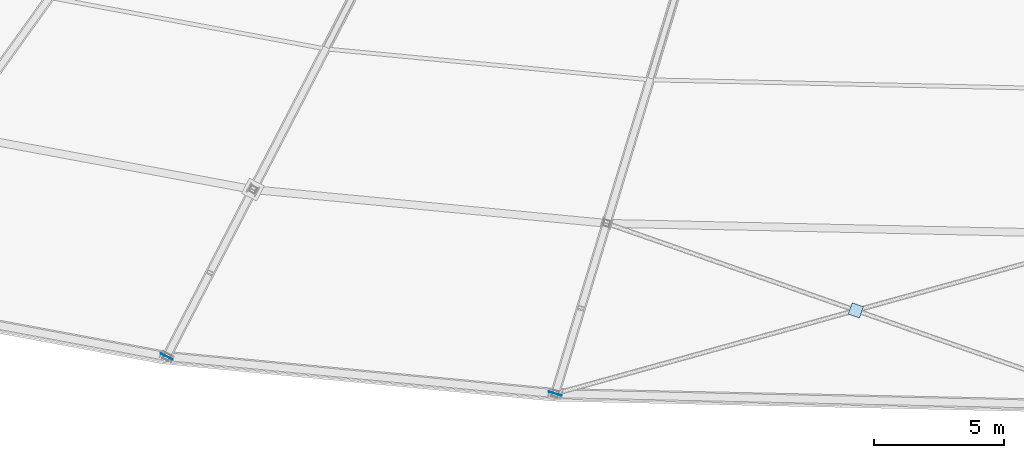
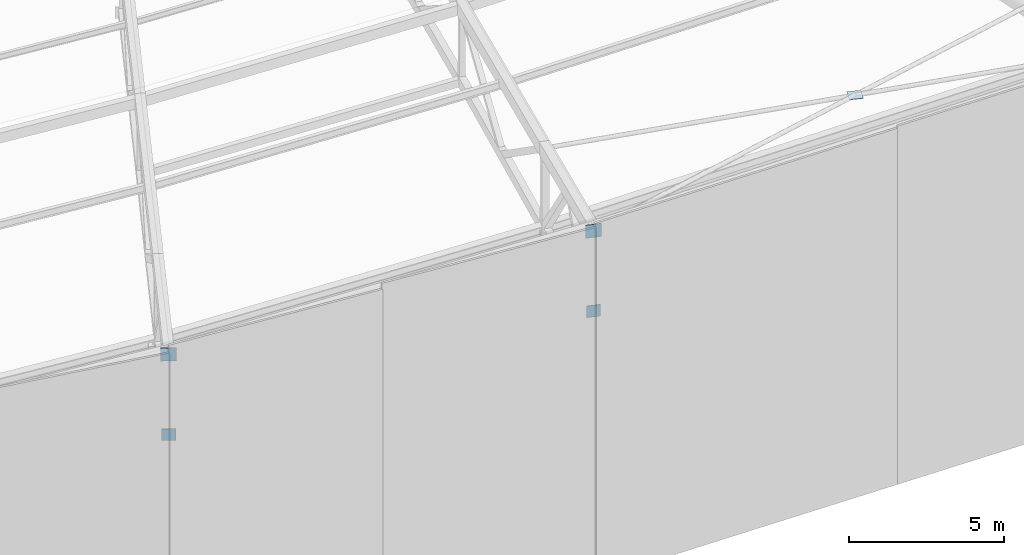
# One storey, part 111 of 143: 5 plates.
"""IFC4 building model written with IfcOpenShell, lengths in metres."""

from ifc_helpers import new_model, si_unit, direction, frame, origin, origin_2d, place, context, subcontext, project, spatial, rectangle, extrude, material, layer, layer_set, type_object, element, save


model = new_model("IFC4")

# Units and contexts
model_context = context("Model", 3, precision=1e-05, world=origin(), true_north=direction((0.0, 1.0)))
body_context = subcontext(model_context, "Body", "Model", "MODEL_VIEW")
ifc_project = project(units=[si_unit("LENGTHUNIT", "METRE"), si_unit("AREAUNIT", "SQUARE_METRE"), si_unit("VOLUMEUNIT", "CUBIC_METRE"), si_unit("PLANEANGLEUNIT", "RADIAN"), si_unit("MASSUNIT", "GRAM", prefix="KILO")], contexts=[model_context])

# Site, building, storey
site_placement = place(None, origin())
site = spatial("IfcSite", under=ifc_project, at=site_placement, CompositionType="ELEMENT")
building_placement = place(site_placement, origin())
building = spatial("IfcBuilding", under=site, at=building_placement, Name="Mphavela Belvedere Stadium", CompositionType="ELEMENT")
storey_placement = place(building_placement, frame((0.0, 0.0, 28.800048828125)))
storey = spatial("IfcBuildingStorey", under=building, at=storey_placement, Name="RF", CompositionType="ELEMENT", Elevation=28.800048828125)

# Plates
ifc_material_1 = material(Name="Steel S355", Category="steel")
ifc_layer_1 = layer(ifc_material_1, 0.01806640625)
ifc_layer_set_1 = layer_set([ifc_layer_1], Name="Steel S355")
plate_type_1 = type_object("IfcPlateType", Name="PLT-CAP-TRUSS-BC", PredefinedType="USERDEFINED", material=ifc_layer_set_1)
for number, where, z_axis, x_axis, name in (
    (1, (77.92724609375, 15.232666015625, 9.637939453125), (0.0, 0.0, 1.0), (-0.458959712465, -0.888457079624, 0.0), "Roof truss RT-35 hollow-end cap plate out_bc"),
    (2, (92.885498046875, 13.80615234375, 10.117431640625), (0.0, 0.0, 1.0), (-0.289198876314, -0.957269037387, 0.0), "Roof truss RT-36 hollow-end cap plate out_bc"),
):
    element("IfcPlate", number, at=place(storey_placement, frame(where, z_axis=z_axis, x_axis=x_axis)), inside=storey, type_object=plate_type_1, Name=name, ObjectType="GUSSET_PLATE", PredefinedType="USERDEFINED", context=body_context, shape_type="SweptSolid", body=[
        extrude(rectangle(XDim=0.01806640625, YDim=0.4599609375, at=origin_2d()), origin(), (0.0, 0.0, 1.0), 0.4599609375),
    ])
plate_placement = place(storey_placement, frame((104.46142578125, 17.012939453125, 12.8203125), z_axis=(0.0, 0.0, 1.0), x_axis=(0.944031464141, -0.329855414859, 0.0)))
element("IfcPlate", 3, at=plate_placement, inside=storey, type_object=plate_type_1, Name="Roof X-brace crossing gusset node plate 36", ObjectType="GUSSET_PLATE", PredefinedType="USERDEFINED", context=body_context, shape_type="SweptSolid", body=[
    extrude(rectangle(XDim=0.4599609375, YDim=0.4599609375, at=origin_2d()), origin(), (0.0, 0.0, 1.0), 0.01806640625),
])
ifc_material_2 = material(Name="Steel S355", Category="steel")
ifc_layer_2 = layer(ifc_material_2, 0.02001953125)
ifc_layer_set_2 = layer_set([ifc_layer_2], Name="Steel S355")
plate_type_2 = type_object("IfcPlateType", Name="PLT-CAP-TRUSS-TC", PredefinedType="USERDEFINED", material=ifc_layer_set_2)
for number, where, z_axis, x_axis, name in (
    (4, (77.92724609375, 15.232666015625, 12.7578125), (0.0, 0.0, 1.0), (-0.458959712465, -0.888457079624, 0.0), "Roof truss RT-35 hollow-end cap plate out_tc"),
    (5, (92.885498046875, 13.80615234375, 13.2373046875), (0.0, 0.0, 1.0), (-0.289198876314, -0.957269037387, 0.0), "Roof truss RT-36 hollow-end cap plate out_tc"),
):
    element("IfcPlate", number, at=place(storey_placement, frame(where, z_axis=z_axis, x_axis=x_axis)), inside=storey, type_object=plate_type_2, Name=name, ObjectType="GUSSET_PLATE", PredefinedType="USERDEFINED", context=body_context, shape_type="SweptSolid", body=[
        extrude(rectangle(XDim=0.02001953125, YDim=0.52001953125, at=origin_2d()), origin(), (0.0, 0.0, 1.0), 0.52001953125),
    ])

save(model, "model.ifc")
